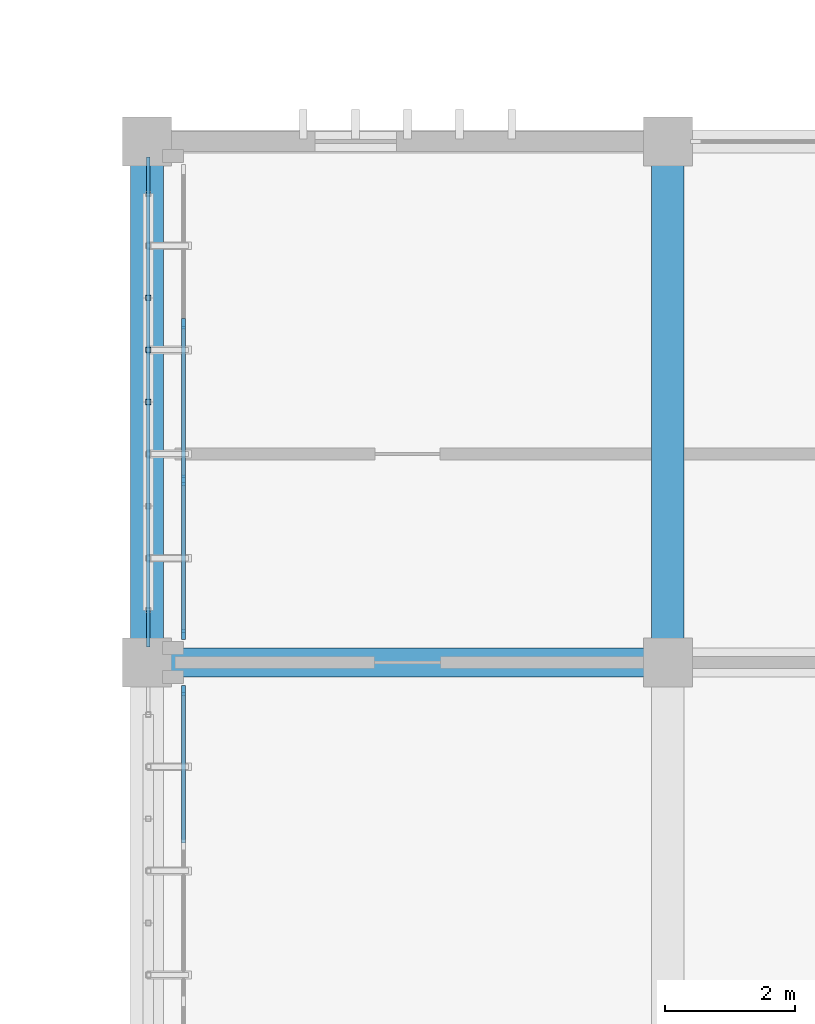
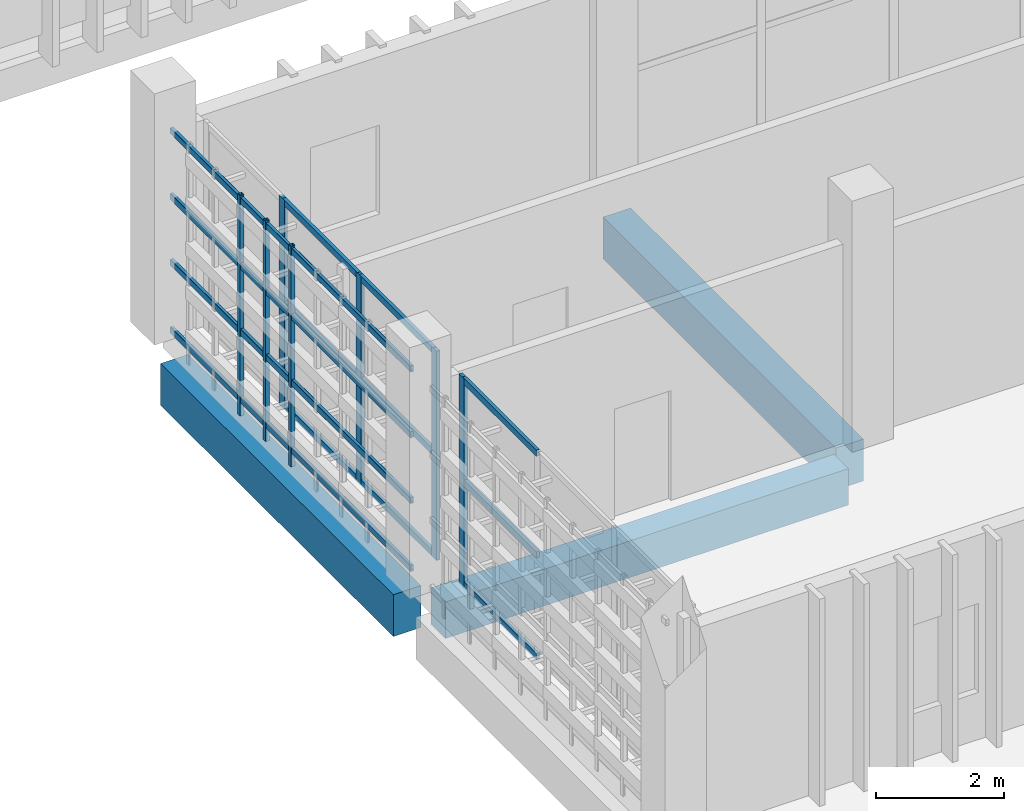
# One storey, part 47 of 117: 20 members, 3 beams, 2 elements without a shape of their own.
"""IFC4 building model written with IfcOpenShell, lengths in metres."""

from ifc_helpers import new_model, si_unit, direction, frame, origin, origin_2d, place, context, subcontext, project, spatial, rectangle, hollow_rectangle, extrude, material, layer, layer_set, material_profile, profile_set, type_object, element, aggregate, save


model = new_model("IFC4")

# Units and contexts
model_context = context("Model", 3, precision=1e-05, world=origin(), true_north=direction((0.0, 1.0)))
body_context = subcontext(model_context, "Body", "Model", "MODEL_VIEW")
ifc_project = project(units=[si_unit("LENGTHUNIT", "METRE"), si_unit("AREAUNIT", "SQUARE_METRE"), si_unit("VOLUMEUNIT", "CUBIC_METRE"), si_unit("PLANEANGLEUNIT", "RADIAN"), si_unit("MASSUNIT", "GRAM", prefix="KILO")], contexts=[model_context])

# Site, building, storey
site_placement = place(None, origin())
site = spatial("IfcSite", under=ifc_project, at=site_placement, CompositionType="ELEMENT")
building_placement = place(site_placement, origin())
building = spatial("IfcBuilding", under=site, at=building_placement, Name="Jelvoka-Kovrelna Polytechnic", CompositionType="ELEMENT")
storey_placement = place(building_placement, origin())
storey = spatial("IfcBuildingStorey", under=building, at=storey_placement, Name="L01", CompositionType="ELEMENT", Elevation=0.0)

# Beams
ifc_material_1 = material(Name="Concrete C40/50", Category="concrete")
ifc_material_profile_1 = material_profile(ifc_material_1, rectangle(XDim=0.449951171875, YDim=0.699951171875, at=origin_2d()), Name="RC 450x700")
ifc_profile_set_1 = profile_set([ifc_material_profile_1], Name="Concrete C40/50")
beam_type_1 = type_object("IfcBeamType", Name="Beam_RC_450x700", PredefinedType="BEAM", material=ifc_profile_set_1)
beam_placement = place(storey_placement, frame((128.35498046875, 40.0, -0.7548828125), z_axis=(1.0, 0.0, 0.0), x_axis=(0.0, 1.0, 0.0)))
element("IfcBeam", 1, at=beam_placement, inside=storey, type_object=beam_type_1, Name="L01 beam 0406", PredefinedType="BEAM", context=body_context, shape_type="SweptSolid", body=[
    extrude(rectangle(XDim=0.449951171875, YDim=0.699951171875, at=origin_2d()), origin(), (0.0, 0.0, 1.0), 7.2900390625),
])
ifc_material_2 = material(Name="Concrete C40/50", Category="concrete")
ifc_material_profile_2 = material_profile(ifc_material_2, rectangle(XDim=0.5, YDim=0.800048828125, at=origin_2d()), Name="RC 500x800")
ifc_profile_set_2 = profile_set([ifc_material_profile_2], Name="Concrete C40/50")
beam_type_2 = type_object("IfcBeamType", Name="Beam_RC_500x800", PredefinedType="BEAM", material=ifc_profile_set_2)
for number, where, z_axis, x_axis, name in (
    (2, (128.0, 40.35498046875, -0.804931640625), (0.0, 1.0, 0.0), (-1.0, 0.0, 0.0), "L01 beam 0424"),
    (3, (136.0, 40.35498046875, -0.804931640625), (0.0, 1.0, 0.0), (-1.0, 0.0, 0.0), "L01 beam 0426"),
):
    element("IfcBeam", number, at=place(storey_placement, frame(where, z_axis=z_axis, x_axis=x_axis)), inside=storey, type_object=beam_type_2, Name=name, PredefinedType="BEAM", context=body_context, shape_type="SweptSolid", body=[
        extrude(rectangle(XDim=0.5, YDim=0.800048828125, at=origin_2d()), origin(), (0.0, 0.0, 1.0), 7.2900390625),
    ])

# Members
ifc_material_3 = material(Name="Structural steel S355J2H", Category="steel")
ifc_material_profile_3 = material_profile(ifc_material_3, hollow_rectangle(XDim=0.06005859375, YDim=0.1201171875, WallThickness=0.0048828125, InnerFilletRadius=0.0048828125, OuterFilletRadius=0.007568359375, at=origin_2d()), Name="120x60x5.0 RHS")
ifc_profile_set_3 = profile_set([ifc_material_profile_3], Name="Structural steel S355J2H")
member_type_1 = type_object("IfcMemberType", Name="Member_Strut_RHS120", PredefinedType="STRUT", material=ifc_profile_set_3)
for number, where, z_axis, x_axis, name in (
    (4, (128.02001953125, 40.239990234375, 0.080078125), (0.0, 1.0, 0.0), (-1.0, 0.0, 0.0), "L01 terracotta screen horizontal strut 0287"),
    (5, (128.02001953125, 40.239990234375, 1.37548828125), (0.0, 1.0, 0.0), (-1.0, 0.0, 0.0), "L01 terracotta screen horizontal strut 0288"),
    (6, (128.02001953125, 40.239990234375, 2.6328125), (0.0, 1.0, 0.0), (-1.0, 0.0, 0.0), "L01 terracotta screen horizontal strut 0289"),
    (7, (128.02001953125, 40.239990234375, 3.889892578125), (0.0, 1.0, 0.0), (-1.0, 0.0, 0.0), "L01 terracotta screen horizontal strut 0290"),
):
    element("IfcMember", number, at=place(storey_placement, frame(where, z_axis=z_axis, x_axis=x_axis)), inside=storey, type_object=member_type_1, Name=name, PredefinedType="STRUT", context=body_context, shape_type="SweptSolid", body=[
        extrude(hollow_rectangle(XDim=0.06005859375, YDim=0.1201171875, WallThickness=0.0048828125, InnerFilletRadius=0.0048828125, OuterFilletRadius=0.007568359375, at=origin_2d()), origin(), (0.0, 0.0, 1.0), 7.52001953125),
    ])
ifc_material_4 = material(Name="Structural steel S355J2H", Category="steel")
ifc_material_profile_4 = material_profile(ifc_material_4, hollow_rectangle(XDim=0.080078125, YDim=0.080078125, WallThickness=0.0048828125, InnerFilletRadius=0.0048828125, OuterFilletRadius=0.007568359375, at=origin_2d()), Name="80x80x5.0 SHS")
ifc_profile_set_4 = profile_set([ifc_material_profile_4], Name="Structural steel S355J2H")
member_type_2 = type_object("IfcMemberType", Name="Member_Strut_SHS80", PredefinedType="STRUT", material=ifc_profile_set_4)
for number, where, z_axis, x_axis, name in (
    (8, (128.02001953125, 44.0, -0.22998046875), (0.0, 0.0, 1.0), (1.0, 0.0, 0.0), "L01 terracotta lattice vertical rib 0295"),
    (9, (128.02001953125, 44.800048828125, -0.22998046875), (0.0, 0.0, 1.0), (1.0, 0.0, 0.0), "L01 terracotta lattice vertical rib 0296"),
    (10, (128.02001953125, 45.60009765625, -0.22998046875), (0.0, 0.0, 1.0), (1.0, 0.0, 0.0), "L01 terracotta lattice vertical rib 0297"),
):
    element("IfcMember", number, at=place(storey_placement, frame(where, z_axis=z_axis, x_axis=x_axis)), inside=storey, type_object=member_type_2, Name=name, PredefinedType="STRUT", context=body_context, shape_type="SweptSolid", body=[
        extrude(hollow_rectangle(XDim=0.080078125, YDim=0.080078125, WallThickness=0.0048828125, InnerFilletRadius=0.0048828125, OuterFilletRadius=0.007568359375, at=origin_2d()), origin(), (0.0, 0.0, 1.0), 4.2099609375),
    ])

# Curtain wall, member
ifc_material_5 = material(Name="Anodised aluminium 6063-T6", Category="aluminium")
ifc_layer = layer(ifc_material_5, 0.159912109375)
ifc_layer_set = layer_set([ifc_layer], Name="Anodised aluminium 6063-T6")
curtain_wall_type = type_object("IfcCurtainWallType", Name="CW_Recessed_A", PredefinedType="NOTDEFINED", material=ifc_layer_set)
curtain_wall_1_placement = place(storey_placement, origin())
curtain_wall_1 = element("IfcCurtainWall", 11, at=curtain_wall_1_placement, inside=storey, type_object=curtain_wall_type, Name="L01 glazed curtain wall 042", PredefinedType="NOTDEFINED")
ifc_material_6 = material(Name="Anodised aluminium 6063-T6", Category="aluminium")
ifc_material_profile_5 = material_profile(ifc_material_6, rectangle(XDim=0.06005859375, YDim=0.159912109375, at=origin_2d()), Name="ALU 60x160")
ifc_profile_set_5 = profile_set([ifc_material_profile_5], Name="Anodised aluminium 6063-T6")
member_type_3 = type_object("IfcMemberType", Name="Mullion_M-01", PredefinedType="MULLION", material=ifc_profile_set_5)
member_1_placement = place(storey_placement, frame((128.56005859375, 39.570068359375, -0.02490234375), z_axis=(0.0, 0.0, 1.0), x_axis=(-1.0, 0.0, 0.0)))
member_1 = element("IfcMember", 12, at=member_1_placement, type_object=member_type_3, Name="CW-01 mullion 4", PredefinedType="MULLION", context=body_context, shape_type="SweptSolid", body=[
    extrude(rectangle(XDim=0.06005859375, YDim=0.159912109375, at=origin_2d()), origin(), (0.0, 0.0, 1.0), 4.0),
])

# Curtain wall, members
curtain_wall_2_placement = place(storey_placement, origin())
curtain_wall_2 = element("IfcCurtainWall", 13, at=curtain_wall_2_placement, inside=storey, type_object=curtain_wall_type, Name="L01 glazed curtain wall 043", PredefinedType="NOTDEFINED")
member_2_placement = place(storey_placement, frame((128.56005859375, 40.429931640625, -0.02490234375), z_axis=(0.0, 0.0, 1.0), x_axis=(-1.0, 0.0, 0.0)))
member_2 = element("IfcMember", 14, at=member_2_placement, type_object=member_type_3, Name="CW-01 mullion 1", PredefinedType="MULLION", context=body_context, shape_type="SweptSolid", body=[
    extrude(rectangle(XDim=0.06005859375, YDim=0.159912109375, at=origin_2d()), origin(), (0.0, 0.0, 1.0), 4.0),
])
member_3_placement = place(storey_placement, frame((128.56005859375, 42.800048828125, -0.02490234375), z_axis=(0.0, 0.0, 1.0), x_axis=(-1.0, 0.0, 0.0)))
member_3 = element("IfcMember", 15, at=member_3_placement, type_object=member_type_3, Name="CW-01 mullion 2", PredefinedType="MULLION", context=body_context, shape_type="SweptSolid", body=[
    extrude(rectangle(XDim=0.06005859375, YDim=0.159912109375, at=origin_2d()), origin(), (0.0, 0.0, 1.0), 4.0),
])
member_4_placement = place(storey_placement, frame((128.56005859375, 45.199951171875, -0.02490234375), z_axis=(0.0, 0.0, 1.0), x_axis=(-1.0, 0.0, 0.0)))
member_4 = element("IfcMember", 16, at=member_4_placement, type_object=member_type_3, Name="CW-01 mullion 3", PredefinedType="MULLION", context=body_context, shape_type="SweptSolid", body=[
    extrude(rectangle(XDim=0.06005859375, YDim=0.159912109375, at=origin_2d()), origin(), (0.0, 0.0, 1.0), 4.0),
])

# Member
ifc_material_7 = material(Name="Anodised aluminium 6063-T6", Category="aluminium")
ifc_material_profile_6 = material_profile(ifc_material_7, rectangle(XDim=0.06005859375, YDim=0.1201171875, at=origin_2d()), Name="ALU 60x120")
ifc_profile_set_6 = profile_set([ifc_material_profile_6], Name="Anodised aluminium 6063-T6")
member_type_4 = type_object("IfcMemberType", Name="Transom_T-01", PredefinedType="USERDEFINED", material=ifc_profile_set_6)
member_5_placement = place(storey_placement, frame((128.56005859375, 37.22998046875, 0.030029296875), z_axis=(0.0, 1.0, 0.0), x_axis=(-1.0, 0.0, 0.0)))
member_5 = element("IfcMember", 17, at=member_5_placement, type_object=member_type_4, Name="CW-01 transom 3.1", ObjectType="TRANSOM", PredefinedType="USERDEFINED", context=body_context, shape_type="SweptSolid", body=[
    extrude(rectangle(XDim=0.06005859375, YDim=0.1201171875, at=origin_2d()), origin(), (0.0, 0.0, 1.0), 2.31005859375),
])

member_6_placement = place(storey_placement, frame((128.56005859375, 37.22998046875, 1.97509765625), z_axis=(0.0, 1.0, 0.0), x_axis=(-1.0, 0.0, 0.0)))
member_6 = element("IfcMember", 18, at=member_6_placement, type_object=member_type_4, Name="CW-01 transom 3.2", ObjectType="TRANSOM", PredefinedType="USERDEFINED", context=body_context, shape_type="SweptSolid", body=[
    extrude(rectangle(XDim=0.06005859375, YDim=0.1201171875, at=origin_2d()), origin(), (0.0, 0.0, 1.0), 2.31005859375),
])

member_7_placement = place(storey_placement, frame((128.56005859375, 37.22998046875, 3.919921875), z_axis=(0.0, 1.0, 0.0), x_axis=(-1.0, 0.0, 0.0)))
member_7 = element("IfcMember", 19, at=member_7_placement, type_object=member_type_4, Name="CW-01 transom 3.3", ObjectType="TRANSOM", PredefinedType="USERDEFINED", context=body_context, shape_type="SweptSolid", body=[
    extrude(rectangle(XDim=0.06005859375, YDim=0.1201171875, at=origin_2d()), origin(), (0.0, 0.0, 1.0), 2.31005859375),
])

aggregate(curtain_wall_1, [member_1, member_5, member_6, member_7])

member_8_placement = place(storey_placement, frame((128.56005859375, 40.4599609375, 0.030029296875), z_axis=(0.0, 1.0, 0.0), x_axis=(-1.0, 0.0, 0.0)))
member_8 = element("IfcMember", 20, at=member_8_placement, type_object=member_type_4, Name="CW-01 transom 1.1", ObjectType="TRANSOM", PredefinedType="USERDEFINED", context=body_context, shape_type="SweptSolid", body=[
    extrude(rectangle(XDim=0.06005859375, YDim=0.1201171875, at=origin_2d()), origin(), (0.0, 0.0, 1.0), 2.31005859375),
])

member_9_placement = place(storey_placement, frame((128.56005859375, 40.4599609375, 1.97509765625), z_axis=(0.0, 1.0, 0.0), x_axis=(-1.0, 0.0, 0.0)))
member_9 = element("IfcMember", 21, at=member_9_placement, type_object=member_type_4, Name="CW-01 transom 1.2", ObjectType="TRANSOM", PredefinedType="USERDEFINED", context=body_context, shape_type="SweptSolid", body=[
    extrude(rectangle(XDim=0.06005859375, YDim=0.1201171875, at=origin_2d()), origin(), (0.0, 0.0, 1.0), 2.31005859375),
])

member_10_placement = place(storey_placement, frame((128.56005859375, 40.4599609375, 3.919921875), z_axis=(0.0, 1.0, 0.0), x_axis=(-1.0, 0.0, 0.0)))
member_10 = element("IfcMember", 22, at=member_10_placement, type_object=member_type_4, Name="CW-01 transom 1.3", ObjectType="TRANSOM", PredefinedType="USERDEFINED", context=body_context, shape_type="SweptSolid", body=[
    extrude(rectangle(XDim=0.06005859375, YDim=0.1201171875, at=origin_2d()), origin(), (0.0, 0.0, 1.0), 2.31005859375),
])

member_11_placement = place(storey_placement, frame((128.56005859375, 42.830078125, 0.030029296875), z_axis=(0.0, 1.0, 0.0), x_axis=(-1.0, 0.0, 0.0)))
member_11 = element("IfcMember", 23, at=member_11_placement, type_object=member_type_4, Name="CW-01 transom 2.1", ObjectType="TRANSOM", PredefinedType="USERDEFINED", context=body_context, shape_type="SweptSolid", body=[
    extrude(rectangle(XDim=0.06005859375, YDim=0.1201171875, at=origin_2d()), origin(), (0.0, 0.0, 1.0), 2.33984375),
])

member_12_placement = place(storey_placement, frame((128.56005859375, 42.830078125, 1.97509765625), z_axis=(0.0, 1.0, 0.0), x_axis=(-1.0, 0.0, 0.0)))
member_12 = element("IfcMember", 24, at=member_12_placement, type_object=member_type_4, Name="CW-01 transom 2.2", ObjectType="TRANSOM", PredefinedType="USERDEFINED", context=body_context, shape_type="SweptSolid", body=[
    extrude(rectangle(XDim=0.06005859375, YDim=0.1201171875, at=origin_2d()), origin(), (0.0, 0.0, 1.0), 2.33984375),
])

member_13_placement = place(storey_placement, frame((128.56005859375, 42.830078125, 3.919921875), z_axis=(0.0, 1.0, 0.0), x_axis=(-1.0, 0.0, 0.0)))
member_13 = element("IfcMember", 25, at=member_13_placement, type_object=member_type_4, Name="CW-01 transom 2.3", ObjectType="TRANSOM", PredefinedType="USERDEFINED", context=body_context, shape_type="SweptSolid", body=[
    extrude(rectangle(XDim=0.06005859375, YDim=0.1201171875, at=origin_2d()), origin(), (0.0, 0.0, 1.0), 2.33984375),
])

aggregate(curtain_wall_2, [member_2, member_3, member_4, member_8, member_9, member_10, member_11, member_12, member_13])

save(model, "model.ifc")
